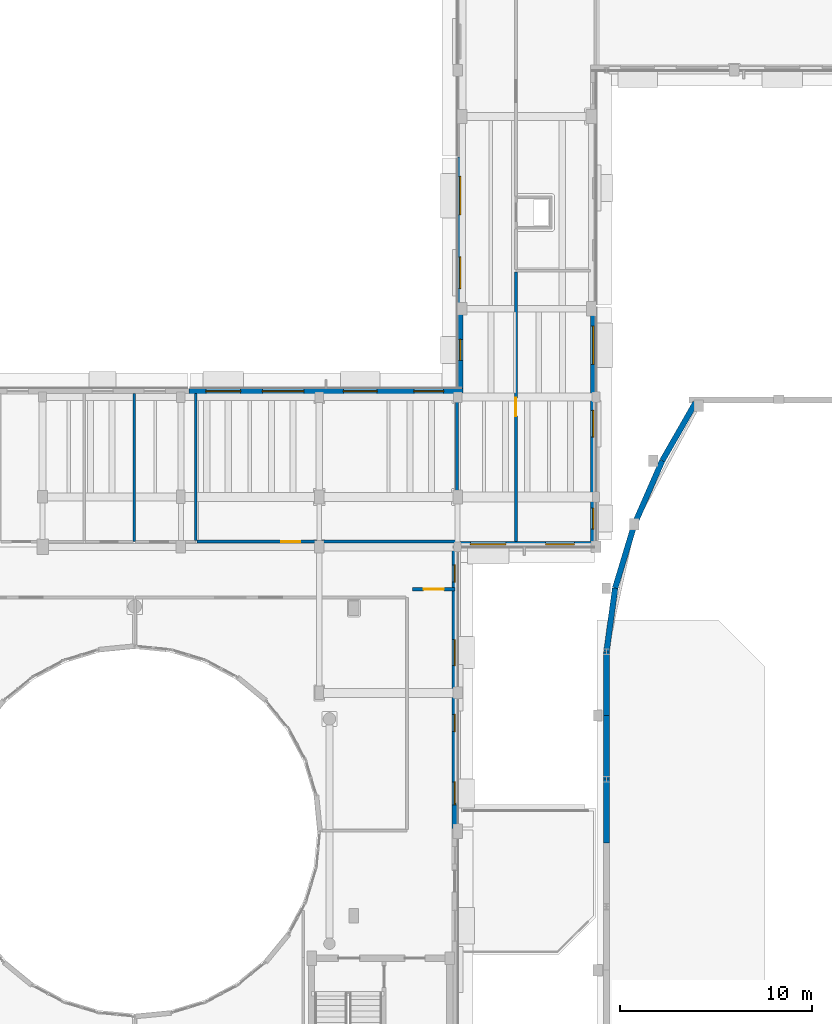
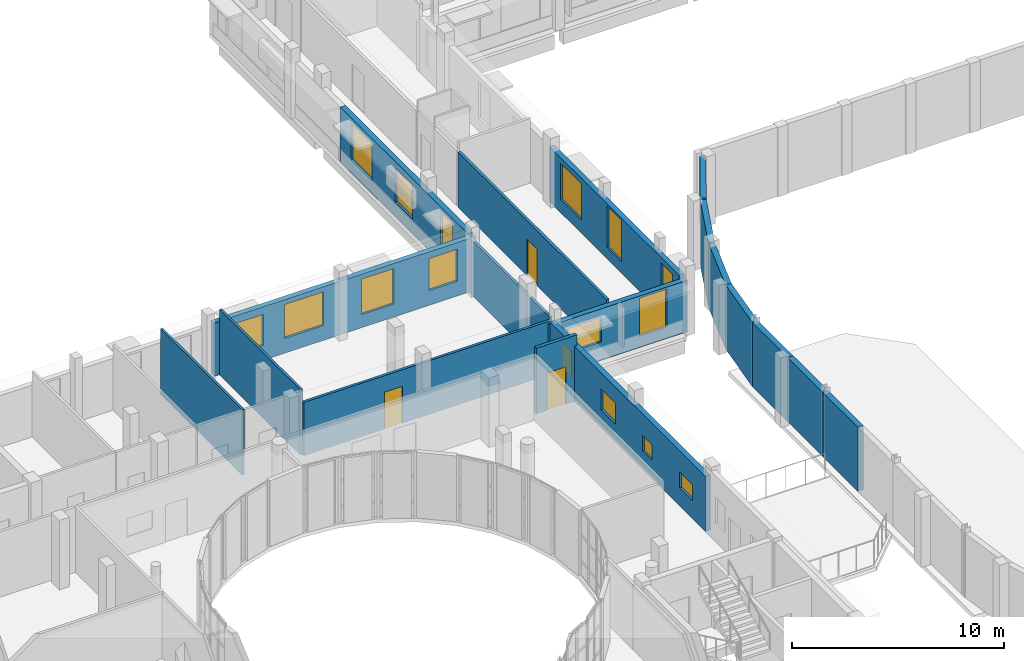
# One storey, part 72 of 89: 18 walls, 16 windows, 3 doors, 19 openings.
"""IFC4 building model written with IfcOpenShell, lengths in metres."""

from ifc_helpers import new_model, si_unit, direction, frame, frame_2d, origin, place, context, subcontext, project, spatial, rectangle, extrude, material, layer, layer_set, type_object, element, fill, save


model = new_model("IFC4")

# Units and contexts
model_context = context("Model", 3, precision=1e-05, world=origin(), true_north=direction((0.0, 1.0)))
body_context = subcontext(model_context, "Body", "Model", "MODEL_VIEW")
ifc_project = project(units=[si_unit("LENGTHUNIT", "METRE"), si_unit("AREAUNIT", "SQUARE_METRE"), si_unit("VOLUMEUNIT", "CUBIC_METRE"), si_unit("PLANEANGLEUNIT", "RADIAN"), si_unit("MASSUNIT", "GRAM", prefix="KILO")], contexts=[model_context])

# Site, building, storey
site_placement = place(None, origin())
site = spatial("IfcSite", under=ifc_project, at=site_placement, CompositionType="ELEMENT")
building_placement = place(site_placement, origin())
building = spatial("IfcBuilding", under=site, at=building_placement, Name="Kelanivale Promenade Academy", CompositionType="ELEMENT")
storey_placement = place(building_placement, frame((0.0, 0.0, 12.199951171875)))
storey = spatial("IfcBuildingStorey", under=building, at=storey_placement, Name="L03", CompositionType="ELEMENT", Elevation=12.199951171875)

# Walls
ifc_material_1 = material(Name="Insulated terracotta-clad masonry wall 300 mm", Category="masonry")
ifc_layer_1 = layer(ifc_material_1, 0.300048828125)
ifc_layer_set_1 = layer_set([ifc_layer_1], Name="Insulated terracotta-clad masonry wall 300 mm")
wall_type_1 = type_object("IfcWallType", Name="EW-01 Wall 300mm", PredefinedType="SOLIDWALL", material=ifc_layer_set_1)
wall_1_placement = place(storey_placement, frame((123.35009765625, 59.513916015625, 0.0), z_axis=(0.0, 0.0, 1.0), x_axis=(0.0, -1.0, 0.0)))
element("IfcWall", 1, at=wall_1_placement, inside=storey, type_object=wall_type_1, Name="Assembly Hall Arc Pavilion inner crescent wall L03", PredefinedType="SOLIDWALL", context=body_context, shape_type="SweptSolid", body=[
    extrude(rectangle(XDim=3.31396484375, YDim=0.300048828125, at=frame_2d((1.656982421875, 0.0))), origin(), (0.0, 0.0, 1.0), 3.695068359375),
])
wall_2_placement = place(storey_placement, frame((123.35009765625, 62.8291015625, 0.0), z_axis=(0.0, 0.0, 1.0), x_axis=(0.0, -1.0, 0.0)))
element("IfcWall", 2, at=wall_2_placement, inside=storey, type_object=wall_type_1, Name="Assembly Hall Arc Pavilion inner crescent wall L03", PredefinedType="SOLIDWALL", context=body_context, shape_type="SweptSolid", body=[
    extrude(rectangle(XDim=3.315185546875, YDim=0.300048828125, at=frame_2d((1.65771484375, 0.0))), origin(), (0.0, 0.0, 1.0), 3.695068359375),
])
wall_3_placement = place(storey_placement, frame((123.35009765625, 66.14306640625, 0.0), z_axis=(0.0, 0.0, 1.0), x_axis=(0.0, -1.0, 0.0)))
element("IfcWall", 3, at=wall_3_placement, inside=storey, type_object=wall_type_1, Name="Assembly Hall Arc Pavilion inner crescent wall L03", PredefinedType="SOLIDWALL", context=body_context, shape_type="SweptSolid", body=[
    extrude(rectangle(XDim=3.31396484375, YDim=0.300048828125, at=frame_2d((1.656982421875, 0.0))), origin(), (0.0, 0.0, 1.0), 3.695068359375),
])
wall_4_placement = place(storey_placement, frame((123.800048828125, 69.45703125, 0.0), z_axis=(0.0, 0.0, 1.0), x_axis=(-0.134539839792, -0.990908185206, 0.0)))
element("IfcWall", 4, at=wall_4_placement, inside=storey, type_object=wall_type_1, Name="Assembly Hall Arc Pavilion inner crescent wall L03", PredefinedType="SOLIDWALL", context=body_context, shape_type="SweptSolid", body=[
    extrude(rectangle(XDim=3.344482421875, YDim=0.300048828125, at=frame_2d((1.67236328125, 0.0))), origin(), (0.0, 0.0, 1.0), 3.695068359375),
])
wall_5_placement = place(storey_placement, frame((124.800048828125, 72.77099609375, 0.0), z_axis=(0.0, 0.0, 1.0), x_axis=(-0.288887509039, -0.957363048755, 0.0)))
element("IfcWall", 5, at=wall_5_placement, inside=storey, type_object=wall_type_1, Name="Assembly Hall Arc Pavilion inner crescent wall L03", PredefinedType="SOLIDWALL", context=body_context, shape_type="SweptSolid", body=[
    extrude(rectangle(XDim=3.461669921875, YDim=0.300048828125, at=frame_2d((1.73095703125, 0.0))), origin(), (0.0, 0.0, 1.0), 3.695068359375),
])
wall_6_placement = place(storey_placement, frame((126.25, 76.0859375, 0.0), z_axis=(0.0, 0.0, 1.0), x_axis=(-0.400740958437, -0.916191401526, 0.0)))
element("IfcWall", 6, at=wall_6_placement, inside=storey, type_object=wall_type_1, Name="Assembly Hall Arc Pavilion inner crescent wall L03", PredefinedType="SOLIDWALL", context=body_context, shape_type="SweptSolid", body=[
    extrude(rectangle(XDim=3.6181640625, YDim=0.300048828125, at=frame_2d((1.80908203125, 0.0))), origin(), (0.0, 0.0, 1.0), 3.695068359375),
])
wall_7_placement = place(storey_placement, frame((127.98095703125, 79.10498046875, 0.0), z_axis=(0.0, 0.0, 1.0), x_axis=(-0.497392560198, -0.867525585248, 0.0)))
element("IfcWall", 7, at=wall_7_placement, inside=storey, type_object=wall_type_1, Name="Assembly Hall Arc Pavilion inner crescent wall L03", PredefinedType="SOLIDWALL", context=body_context, shape_type="SweptSolid", body=[
    extrude(rectangle(XDim=3.47998046875, YDim=0.300048828125, at=frame_2d((1.739990234375, 0.0))), origin(), (0.0, 0.0, 1.0), 3.780029296875),
])

# Wall, openings, windows
ifc_material_2 = material(Name="Insulated ivory stucco masonry wall 280 mm", Category="masonry")
ifc_layer_2 = layer(ifc_material_2, 0.280029296875)
ifc_layer_set_2 = layer_set([ifc_layer_2], Name="Insulated ivory stucco masonry wall 280 mm")
wall_type_2 = type_object("IfcWallType", Name="EW-02 Wall 280mm", PredefinedType="SOLIDWALL", material=ifc_layer_set_2)
wall_8_placement = place(storey_placement, frame((115.4599609375, 56.93994140625, 0.0), z_axis=(0.0, 0.0, 1.0), x_axis=(0.0, 1.0, 0.0)))
wall_8 = element("IfcWall", 8, at=wall_8_placement, inside=storey, type_object=wall_type_2, Name="L03 exterior facade wall EW-L03-ORT-0471", PredefinedType="SOLIDWALL", context=body_context, shape_type="SweptSolid", body=[
    extrude(rectangle(XDim=14.66015625, YDim=0.280029296875, at=frame_2d((7.330078125, 0.0))), origin(), (0.0, 0.0, 1.0), 3.175048828125),
])
opening_1_placement = place(wall_8_placement, frame((1.23193359375, 0.0, 1.050048828125)))
opening_1 = element("IfcOpeningElement", 9, at=opening_1_placement, cuts=wall_8, Name="Opening WT-09", PredefinedType="OPENING", context=body_context, shape_type="SweptSolid", body=[
    extrude(rectangle(XDim=1.199951171875, YDim=0.89990234375, at=frame_2d((0.60009765625, 0.449951171875))), frame((0.0, 0.14990234375, 0.0), z_axis=(0.0, -1.0, 0.0), x_axis=(1.0, 0.0, 0.0)), (0.0, 0.0, 1.0), 0.300048828125),
])
opening_2_placement = place(wall_8_placement, frame((5.047119140625, 0.0, 1.050048828125)))
opening_2 = element("IfcOpeningElement", 10, at=opening_2_placement, cuts=wall_8, Name="Opening WT-10", PredefinedType="OPENING", context=body_context, shape_type="SweptSolid", body=[
    extrude(rectangle(XDim=0.89990234375, YDim=0.89990234375, at=frame_2d((0.449951171875, 0.449951171875))), frame((0.0, 0.14990234375, 0.0), z_axis=(0.0, -1.0, 0.0), x_axis=(1.0, 0.0, 0.0)), (0.0, 0.0, 1.0), 0.300048828125),
])
opening_3_placement = place(wall_8_placement, frame((8.487060546875, 0.0, 1.050048828125)))
opening_3 = element("IfcOpeningElement", 11, at=opening_3_placement, cuts=wall_8, Name="Opening WT-34", PredefinedType="OPENING", context=body_context, shape_type="SweptSolid", body=[
    extrude(rectangle(XDim=1.35009765625, YDim=1.199951171875, at=frame_2d((0.675048828125, 0.60009765625))), frame((0.0, 0.14990234375, 0.0), z_axis=(0.0, -1.0, 0.0), x_axis=(1.0, 0.0, 0.0)), (0.0, 0.0, 1.0), 0.300048828125),
])
opening_4_placement = place(wall_8_placement, frame((12.826904296875, 0.0, 1.050048828125)))
opening_4 = element("IfcOpeningElement", 12, at=opening_4_placement, cuts=wall_8, Name="Opening WT-06", PredefinedType="OPENING", context=body_context, shape_type="SweptSolid", body=[
    extrude(rectangle(XDim=0.89990234375, YDim=1.5, at=frame_2d((0.449951171875, 0.75))), frame((0.0, 0.14990234375, 0.0), z_axis=(0.0, -1.0, 0.0), x_axis=(1.0, 0.0, 0.0)), (0.0, 0.0, 1.0), 0.300048828125),
])
ifc_material_3 = material(Name="Bronze anodised aluminium frame with low-E laminated glass", Category="aluminium")
window_type_1 = type_object("IfcWindowType", Name="WT-06 Window 900x1500", PartitioningType="SINGLE_PANEL", PredefinedType="WINDOW", material=ifc_material_3)
window_1_placement = place(opening_4_placement, origin())
window_1 = element("IfcWindow", 13, at=window_1_placement, inside=storey, type_object=window_type_1, Name="Window WT-06", OverallHeight=1.5, OverallWidth=0.89990234375, PartitioningType="SINGLE_PANEL", PredefinedType="WINDOW", context=body_context, shape_type="SweptSolid", body=[
    extrude(rectangle(XDim=0.89990234375, YDim=1.5, at=frame_2d((0.449951171875, 0.75))), frame((0.0, 0.030029296875, 0.0), z_axis=(0.0, -1.0, 0.0), x_axis=(1.0, 0.0, 0.0)), (0.0, 0.0, 1.0), 0.06005859375),
])
fill(opening_4, window_1)
window_type_2 = type_object("IfcWindowType", Name="WT-09 Window 1200x900", PartitioningType="SINGLE_PANEL", PredefinedType="WINDOW", material=ifc_material_3)
window_2_placement = place(opening_1_placement, origin())
window_2 = element("IfcWindow", 14, at=window_2_placement, inside=storey, type_object=window_type_2, Name="Window WT-09", OverallHeight=0.89990234375, OverallWidth=1.199951171875, PartitioningType="SINGLE_PANEL", PredefinedType="WINDOW", context=body_context, shape_type="SweptSolid", body=[
    extrude(rectangle(XDim=1.199951171875, YDim=0.89990234375, at=frame_2d((0.60009765625, 0.449951171875))), frame((0.0, 0.030029296875, 0.0), z_axis=(0.0, -1.0, 0.0), x_axis=(1.0, 0.0, 0.0)), (0.0, 0.0, 1.0), 0.06005859375),
])
fill(opening_1, window_2)
window_type_3 = type_object("IfcWindowType", Name="WT-10 Window 900x900", PartitioningType="SINGLE_PANEL", PredefinedType="WINDOW", material=ifc_material_3)
window_3_placement = place(opening_2_placement, origin())
window_3 = element("IfcWindow", 15, at=window_3_placement, inside=storey, type_object=window_type_3, Name="Window WT-10", OverallHeight=0.89990234375, OverallWidth=0.89990234375, PartitioningType="SINGLE_PANEL", PredefinedType="WINDOW", context=body_context, shape_type="SweptSolid", body=[
    extrude(rectangle(XDim=0.89990234375, YDim=0.89990234375, at=frame_2d((0.449951171875, 0.449951171875))), frame((0.0, 0.030029296875, 0.0), z_axis=(0.0, -1.0, 0.0), x_axis=(1.0, 0.0, 0.0)), (0.0, 0.0, 1.0), 0.06005859375),
])
fill(opening_2, window_3)
window_type_4 = type_object("IfcWindowType", Name="WT-34 Window 1350x1200", PartitioningType="SINGLE_PANEL", PredefinedType="WINDOW", material=ifc_material_3)
window_4_placement = place(opening_3_placement, origin())
window_4 = element("IfcWindow", 16, at=window_4_placement, inside=storey, type_object=window_type_4, Name="Window WT-34", OverallHeight=1.199951171875, OverallWidth=1.35009765625, PartitioningType="SINGLE_PANEL", PredefinedType="WINDOW", context=body_context, shape_type="SweptSolid", body=[
    extrude(rectangle(XDim=1.35009765625, YDim=1.199951171875, at=frame_2d((0.675048828125, 0.60009765625))), frame((0.0, 0.030029296875, 0.0), z_axis=(0.0, -1.0, 0.0), x_axis=(1.0, 0.0, 0.0)), (0.0, 0.0, 1.0), 0.06005859375),
])
fill(opening_3, window_4)

wall_9_placement = place(storey_placement, frame((115.320068359375, 71.739990234375, 0.0), z_axis=(0.0, 0.0, 1.0), x_axis=(1.0, 0.0, 0.0)))
wall_9 = element("IfcWall", 17, at=wall_9_placement, inside=storey, type_object=wall_type_2, Name="L03 exterior facade wall EW-L03-ORT-0472", PredefinedType="SOLIDWALL", context=body_context, shape_type="SweptSolid", body=[
    extrude(rectangle(XDim=7.47998046875, YDim=0.280029296875, at=frame_2d((3.739990234375, 0.0))), origin(), (0.0, 0.0, 1.0), 2.965087890625),
])
opening_5_placement = place(wall_9_placement, frame((0.945068359375, 0.0, 1.050048828125)))
opening_5 = element("IfcOpeningElement", 18, at=opening_5_placement, cuts=wall_9, Name="Opening WT-36", PredefinedType="OPENING", context=body_context, shape_type="SweptSolid", body=[
    extrude(rectangle(XDim=1.85009765625, YDim=1.39990234375, at=frame_2d((0.925048828125, 0.699951171875))), frame((0.0, 0.14990234375, 0.0), z_axis=(0.0, -1.0, 0.0), x_axis=(1.0, 0.0, 0.0)), (0.0, 0.0, 1.0), 0.300048828125),
])
opening_6_placement = place(wall_9_placement, frame((4.860107421875, 0.0, 0.64990234375)))
opening_6 = element("IfcOpeningElement", 19, at=opening_6_placement, cuts=wall_9, Name="Opening WT-11", PredefinedType="OPENING", context=body_context, shape_type="SweptSolid", body=[
    extrude(rectangle(XDim=1.5, YDim=2.199951171875, at=frame_2d((0.75, 1.10009765625))), frame((0.0, 0.14990234375, 0.0), z_axis=(0.0, -1.0, 0.0), x_axis=(1.0, 0.0, 0.0)), (0.0, 0.0, 1.0), 0.300048828125),
])
window_type_5 = type_object("IfcWindowType", Name="WT-11 Window 1500x2200", PartitioningType="SINGLE_PANEL", PredefinedType="WINDOW", material=ifc_material_3)
window_5_placement = place(opening_6_placement, origin())
window_5 = element("IfcWindow", 20, at=window_5_placement, inside=storey, type_object=window_type_5, Name="Window WT-11", OverallHeight=2.199951171875, OverallWidth=1.5, PartitioningType="SINGLE_PANEL", PredefinedType="WINDOW", context=body_context, shape_type="SweptSolid", body=[
    extrude(rectangle(XDim=1.5, YDim=2.199951171875, at=frame_2d((0.75, 1.10009765625))), frame((0.0, 0.030029296875, 0.0), z_axis=(0.0, -1.0, 0.0), x_axis=(1.0, 0.0, 0.0)), (0.0, 0.0, 1.0), 0.06005859375),
])
fill(opening_6, window_5)
window_type_6 = type_object("IfcWindowType", Name="WT-36 Window 1850x1400", PartitioningType="SINGLE_PANEL", PredefinedType="WINDOW", material=ifc_material_3)
window_6_placement = place(opening_5_placement, origin())
window_6 = element("IfcWindow", 21, at=window_6_placement, inside=storey, type_object=window_type_6, Name="Window WT-36", OverallHeight=1.39990234375, OverallWidth=1.85009765625, PartitioningType="SINGLE_PANEL", PredefinedType="WINDOW", context=body_context, shape_type="SweptSolid", body=[
    extrude(rectangle(XDim=1.85009765625, YDim=1.39990234375, at=frame_2d((0.925048828125, 0.699951171875))), frame((0.0, 0.030029296875, 0.0), z_axis=(0.0, -1.0, 0.0), x_axis=(1.0, 0.0, 0.0)), (0.0, 0.0, 1.0), 0.06005859375),
])
fill(opening_5, window_6)

wall_10_placement = place(storey_placement, frame((122.659912109375, 71.8798828125, 0.0), z_axis=(0.0, 0.0, 1.0), x_axis=(0.0, 1.0, 0.0)))
wall_10 = element("IfcWall", 22, at=wall_10_placement, inside=storey, type_object=wall_type_2, Name="L03 exterior facade wall EW-L03-ORT-0473", PredefinedType="SOLIDWALL", context=body_context, shape_type="SweptSolid", body=[
    extrude(rectangle(XDim=12.260009765625, YDim=0.280029296875, at=frame_2d((6.1298828125, 0.0))), origin(), (0.0, 0.0, 1.0), 3.1650390625),
])
opening_7_placement = place(wall_10_placement, frame((0.64306640625, 0.0, 0.75)))
opening_7 = element("IfcOpeningElement", 23, at=opening_7_placement, cuts=wall_10, Name="Opening WT-17", PredefinedType="OPENING", context=body_context, shape_type="SweptSolid", body=[
    extrude(rectangle(XDim=1.10009765625, YDim=2.10009765625, at=frame_2d((0.550048828125, 1.050048828125))), frame((0.0, 0.14990234375, 0.0), z_axis=(0.0, -1.0, 0.0), x_axis=(1.0, 0.0, 0.0)), (0.0, 0.0, 1.0), 0.300048828125),
])
opening_8_placement = place(wall_10_placement, frame((5.429931640625, 0.0, 0.64990234375)))
opening_8 = element("IfcOpeningElement", 24, at=opening_8_placement, cuts=wall_10, Name="Opening WT-13", PredefinedType="OPENING", context=body_context, shape_type="SweptSolid", body=[
    extrude(rectangle(XDim=1.39990234375, YDim=2.39990234375, at=frame_2d((0.699951171875, 1.199951171875))), frame((0.0, 0.14990234375, 0.0), z_axis=(0.0, -1.0, 0.0), x_axis=(1.0, 0.0, 0.0)), (0.0, 0.0, 1.0), 0.300048828125),
])
opening_9_placement = place(wall_10_placement, frame((9.217041015625, 0.0, 0.75)))
opening_9 = element("IfcOpeningElement", 25, at=opening_9_placement, cuts=wall_10, Name="Opening WT-14", PredefinedType="OPENING", context=body_context, shape_type="SweptSolid", body=[
    extrude(rectangle(XDim=2.0, YDim=2.10009765625, at=frame_2d((1.0, 1.050048828125))), frame((0.0, 0.14990234375, 0.0), z_axis=(0.0, -1.0, 0.0), x_axis=(1.0, 0.0, 0.0)), (0.0, 0.0, 1.0), 0.300048828125),
])
window_type_7 = type_object("IfcWindowType", Name="WT-13 Window 1400x2400", PartitioningType="SINGLE_PANEL", PredefinedType="WINDOW", material=ifc_material_3)
window_7_placement = place(opening_8_placement, origin())
window_7 = element("IfcWindow", 26, at=window_7_placement, inside=storey, type_object=window_type_7, Name="Window WT-13", OverallHeight=2.39990234375, OverallWidth=1.39990234375, PartitioningType="SINGLE_PANEL", PredefinedType="WINDOW", context=body_context, shape_type="SweptSolid", body=[
    extrude(rectangle(XDim=1.39990234375, YDim=2.39990234375, at=frame_2d((0.699951171875, 1.199951171875))), frame((0.0, 0.030029296875, 0.0), z_axis=(0.0, -1.0, 0.0), x_axis=(1.0, 0.0, 0.0)), (0.0, 0.0, 1.0), 0.06005859375),
])
fill(opening_8, window_7)
window_type_8 = type_object("IfcWindowType", Name="WT-14 Window 2000x2100", PartitioningType="SINGLE_PANEL", PredefinedType="WINDOW", material=ifc_material_3)
window_8_placement = place(opening_9_placement, origin())
window_8 = element("IfcWindow", 27, at=window_8_placement, inside=storey, type_object=window_type_8, Name="Window WT-14", OverallHeight=2.10009765625, OverallWidth=2.0, PartitioningType="SINGLE_PANEL", PredefinedType="WINDOW", context=body_context, shape_type="SweptSolid", body=[
    extrude(rectangle(XDim=2.0, YDim=2.10009765625, at=frame_2d((1.0, 1.050048828125))), frame((0.0, 0.030029296875, 0.0), z_axis=(0.0, -1.0, 0.0), x_axis=(1.0, 0.0, 0.0)), (0.0, 0.0, 1.0), 0.06005859375),
])
fill(opening_9, window_8)
window_type_9 = type_object("IfcWindowType", Name="WT-17 Window 1100x2100", PartitioningType="SINGLE_PANEL", PredefinedType="WINDOW", material=ifc_material_3)
window_9_placement = place(opening_7_placement, origin())
window_9 = element("IfcWindow", 28, at=window_9_placement, inside=storey, type_object=window_type_9, Name="Window WT-17", OverallHeight=2.10009765625, OverallWidth=1.10009765625, PartitioningType="SINGLE_PANEL", PredefinedType="WINDOW", context=body_context, shape_type="SweptSolid", body=[
    extrude(rectangle(XDim=1.10009765625, YDim=2.10009765625, at=frame_2d((0.550048828125, 1.050048828125))), frame((0.0, 0.030029296875, 0.0), z_axis=(0.0, -1.0, 0.0), x_axis=(1.0, 0.0, 0.0)), (0.0, 0.0, 1.0), 0.06005859375),
])
fill(opening_7, window_9)

wall_11_placement = place(storey_placement, frame((115.739990234375, 91.885009765625, 0.0), z_axis=(0.0, 0.0, 1.0), x_axis=(0.0, -1.0, 0.0)))
wall_11 = element("IfcWall", 29, at=wall_11_placement, inside=storey, type_object=wall_type_2, Name="L03 exterior facade wall EW-L03-ORT-0485", PredefinedType="SOLIDWALL", context=body_context, shape_type="SweptSolid", body=[
    extrude(rectangle(XDim=12.034912109375, YDim=0.280029296875, at=frame_2d((6.017578125, 0.0))), origin(), (0.0, 0.0, 1.0), 3.1650390625),
])
opening_10_placement = place(wall_11_placement, frame((1.006103515625, 0.0, 0.75)))
opening_10 = element("IfcOpeningElement", 30, at=opening_10_placement, cuts=wall_11, Name="Opening WT-14", PredefinedType="OPENING", context=body_context, shape_type="SweptSolid", body=[
    extrude(rectangle(XDim=2.0, YDim=2.10009765625, at=frame_2d((1.0, 1.050048828125))), frame((0.0, 0.14990234375, 0.0), z_axis=(0.0, -1.0, 0.0), x_axis=(1.0, 0.0, 0.0)), (0.0, 0.0, 1.0), 0.300048828125),
])
opening_11_placement = place(wall_11_placement, frame((5.193115234375, 0.0, 0.85009765625)))
opening_11 = element("IfcOpeningElement", 31, at=opening_11_placement, cuts=wall_11, Name="Opening WT-16", PredefinedType="OPENING", context=body_context, shape_type="SweptSolid", body=[
    extrude(rectangle(XDim=1.64990234375, YDim=1.949951171875, at=frame_2d((0.824951171875, 0.97509765625))), frame((0.0, 0.14990234375, 0.0), z_axis=(0.0, -1.0, 0.0), x_axis=(1.0, 0.0, 0.0)), (0.0, 0.0, 1.0), 0.300048828125),
])
opening_12_placement = place(wall_11_placement, frame((9.47900390625, 0.0, 0.75)))
opening_12 = element("IfcOpeningElement", 32, at=opening_12_placement, cuts=wall_11, Name="Opening WT-17", PredefinedType="OPENING", context=body_context, shape_type="SweptSolid", body=[
    extrude(rectangle(XDim=1.10009765625, YDim=2.10009765625, at=frame_2d((0.550048828125, 1.050048828125))), frame((0.0, 0.14990234375, 0.0), z_axis=(0.0, -1.0, 0.0), x_axis=(1.0, 0.0, 0.0)), (0.0, 0.0, 1.0), 0.300048828125),
])
window_10_placement = place(opening_10_placement, origin())
window_10 = element("IfcWindow", 33, at=window_10_placement, inside=storey, type_object=window_type_8, Name="Window WT-14", OverallHeight=2.10009765625, OverallWidth=2.0, PartitioningType="SINGLE_PANEL", PredefinedType="WINDOW", context=body_context, shape_type="SweptSolid", body=[
    extrude(rectangle(XDim=2.0, YDim=2.10009765625, at=frame_2d((1.0, 1.050048828125))), frame((0.0, 0.030029296875, 0.0), z_axis=(0.0, -1.0, 0.0), x_axis=(1.0, 0.0, 0.0)), (0.0, 0.0, 1.0), 0.06005859375),
])
fill(opening_10, window_10)
window_type_10 = type_object("IfcWindowType", Name="WT-16 Window 1650x1950", PartitioningType="SINGLE_PANEL", PredefinedType="WINDOW", material=ifc_material_3)
window_11_placement = place(opening_11_placement, origin())
window_11 = element("IfcWindow", 34, at=window_11_placement, inside=storey, type_object=window_type_10, Name="Window WT-16", OverallHeight=1.949951171875, OverallWidth=1.64990234375, PartitioningType="SINGLE_PANEL", PredefinedType="WINDOW", context=body_context, shape_type="SweptSolid", body=[
    extrude(rectangle(XDim=1.64990234375, YDim=1.949951171875, at=frame_2d((0.824951171875, 0.97509765625))), frame((0.0, 0.030029296875, 0.0), z_axis=(0.0, -1.0, 0.0), x_axis=(1.0, 0.0, 0.0)), (0.0, 0.0, 1.0), 0.06005859375),
])
fill(opening_11, window_11)
window_12_placement = place(opening_12_placement, origin())
window_12 = element("IfcWindow", 35, at=window_12_placement, inside=storey, type_object=window_type_9, Name="Window WT-17", OverallHeight=2.10009765625, OverallWidth=1.10009765625, PartitioningType="SINGLE_PANEL", PredefinedType="WINDOW", context=body_context, shape_type="SweptSolid", body=[
    extrude(rectangle(XDim=1.10009765625, YDim=2.10009765625, at=frame_2d((0.550048828125, 1.050048828125))), frame((0.0, 0.030029296875, 0.0), z_axis=(0.0, -1.0, 0.0), x_axis=(1.0, 0.0, 0.0)), (0.0, 0.0, 1.0), 0.06005859375),
])
fill(opening_12, window_12)

wall_12_placement = place(storey_placement, frame((115.8798828125, 79.7099609375, 0.0), z_axis=(0.0, 0.0, 1.0), x_axis=(-1.0, 0.0, 0.0)))
wall_12 = element("IfcWall", 36, at=wall_12_placement, inside=storey, type_object=wall_type_2, Name="L03 exterior facade wall EW-L03-ORT-0486", PredefinedType="SOLIDWALL", context=body_context, shape_type="SweptSolid", body=[
    extrude(rectangle(XDim=14.2568359375, YDim=0.280029296875, at=frame_2d((7.12841796875, 0.0))), origin(), (0.0, 0.0, 1.0), 3.074951171875),
])
opening_13_placement = place(wall_12_placement, frame((1.007080078125, 0.0, 0.85009765625)))
opening_13 = element("IfcOpeningElement", 37, at=opening_13_placement, cuts=wall_12, Name="Opening WT-31", PredefinedType="OPENING", context=body_context, shape_type="SweptSolid", body=[
    extrude(rectangle(XDim=1.550048828125, YDim=1.85009765625, at=frame_2d((0.77490234375, 0.925048828125))), frame((0.0, 0.14990234375, 0.0), z_axis=(0.0, -1.0, 0.0), x_axis=(1.0, 0.0, 0.0)), (0.0, 0.0, 1.0), 0.300048828125),
])
opening_14_placement = place(wall_12_placement, frame((4.470947265625, 0.0, 0.75)))
opening_14 = element("IfcOpeningElement", 38, at=opening_14_placement, cuts=wall_12, Name="Opening WT-32", PredefinedType="OPENING", context=body_context, shape_type="SweptSolid", body=[
    extrude(rectangle(XDim=1.75, YDim=2.050048828125, at=frame_2d((0.875, 1.02490234375))), frame((0.0, 0.14990234375, 0.0), z_axis=(0.0, -1.0, 0.0), x_axis=(1.0, 0.0, 0.0)), (0.0, 0.0, 1.0), 0.300048828125),
])
opening_15_placement = place(wall_12_placement, frame((8.285888671875, 0.0, 0.85009765625)))
opening_15 = element("IfcOpeningElement", 39, at=opening_15_placement, cuts=wall_12, Name="Opening WT-33", PredefinedType="OPENING", context=body_context, shape_type="SweptSolid", body=[
    extrude(rectangle(XDim=2.14990234375, YDim=1.949951171875, at=frame_2d((1.074951171875, 0.97509765625))), frame((0.0, 0.14990234375, 0.0), z_axis=(0.0, -1.0, 0.0), x_axis=(1.0, 0.0, 0.0)), (0.0, 0.0, 1.0), 0.300048828125),
])
opening_16_placement = place(wall_12_placement, frame((11.574951171875, 0.0, 0.85009765625)))
opening_16 = element("IfcOpeningElement", 40, at=opening_16_placement, cuts=wall_12, Name="Opening WT-01", PredefinedType="OPENING", context=body_context, shape_type="SweptSolid", body=[
    extrude(rectangle(XDim=1.800048828125, YDim=1.800048828125, at=frame_2d((0.89990234375, 0.89990234375))), frame((0.0, 0.14990234375, 0.0), z_axis=(0.0, -1.0, 0.0), x_axis=(1.0, 0.0, 0.0)), (0.0, 0.0, 1.0), 0.300048828125),
])
window_type_11 = type_object("IfcWindowType", Name="WT-01 Window 1800x1800", PartitioningType="SINGLE_PANEL", PredefinedType="WINDOW", material=ifc_material_3)
window_13_placement = place(opening_16_placement, origin())
window_13 = element("IfcWindow", 41, at=window_13_placement, inside=storey, type_object=window_type_11, Name="Window WT-01", OverallHeight=1.800048828125, OverallWidth=1.800048828125, PartitioningType="SINGLE_PANEL", PredefinedType="WINDOW", context=body_context, shape_type="SweptSolid", body=[
    extrude(rectangle(XDim=1.800048828125, YDim=1.800048828125, at=frame_2d((0.89990234375, 0.89990234375))), frame((0.0, 0.030029296875, 0.0), z_axis=(0.0, -1.0, 0.0), x_axis=(1.0, 0.0, 0.0)), (0.0, 0.0, 1.0), 0.06005859375),
])
fill(opening_16, window_13)
window_type_12 = type_object("IfcWindowType", Name="WT-31 Window 1550x1850", PartitioningType="SINGLE_PANEL", PredefinedType="WINDOW", material=ifc_material_3)
window_14_placement = place(opening_13_placement, origin())
window_14 = element("IfcWindow", 42, at=window_14_placement, inside=storey, type_object=window_type_12, Name="Window WT-31", OverallHeight=1.85009765625, OverallWidth=1.550048828125, PartitioningType="SINGLE_PANEL", PredefinedType="WINDOW", context=body_context, shape_type="SweptSolid", body=[
    extrude(rectangle(XDim=1.550048828125, YDim=1.85009765625, at=frame_2d((0.77490234375, 0.925048828125))), frame((0.0, 0.030029296875, 0.0), z_axis=(0.0, -1.0, 0.0), x_axis=(1.0, 0.0, 0.0)), (0.0, 0.0, 1.0), 0.06005859375),
])
fill(opening_13, window_14)
window_type_13 = type_object("IfcWindowType", Name="WT-32 Window 1750x2050", PartitioningType="SINGLE_PANEL", PredefinedType="WINDOW", material=ifc_material_3)
window_15_placement = place(opening_14_placement, origin())
window_15 = element("IfcWindow", 43, at=window_15_placement, inside=storey, type_object=window_type_13, Name="Window WT-32", OverallHeight=2.050048828125, OverallWidth=1.75, PartitioningType="SINGLE_PANEL", PredefinedType="WINDOW", context=body_context, shape_type="SweptSolid", body=[
    extrude(rectangle(XDim=1.75, YDim=2.050048828125, at=frame_2d((0.875, 1.02490234375))), frame((0.0, 0.030029296875, 0.0), z_axis=(0.0, -1.0, 0.0), x_axis=(1.0, 0.0, 0.0)), (0.0, 0.0, 1.0), 0.06005859375),
])
fill(opening_14, window_15)
window_type_14 = type_object("IfcWindowType", Name="WT-33 Window 2150x1950", PartitioningType="SINGLE_PANEL", PredefinedType="WINDOW", material=ifc_material_3)
window_16_placement = place(opening_15_placement, origin())
window_16 = element("IfcWindow", 44, at=window_16_placement, inside=storey, type_object=window_type_14, Name="Window WT-33", OverallHeight=1.949951171875, OverallWidth=2.14990234375, PartitioningType="SINGLE_PANEL", PredefinedType="WINDOW", context=body_context, shape_type="SweptSolid", body=[
    extrude(rectangle(XDim=2.14990234375, YDim=1.949951171875, at=frame_2d((1.074951171875, 0.97509765625))), frame((0.0, 0.030029296875, 0.0), z_axis=(0.0, -1.0, 0.0), x_axis=(1.0, 0.0, 0.0)), (0.0, 0.0, 1.0), 0.06005859375),
])
fill(opening_15, window_16)

# Wall, opening, door
ifc_material_4 = material(Name="Autoclaved masonry blockwork 180 mm", Category="masonry")
ifc_layer_3 = layer(ifc_material_4, 0.179931640625)
ifc_layer_set_3 = layer_set([ifc_layer_3], Name="Autoclaved masonry blockwork 180 mm")
wall_type_3 = type_object("IfcWallType", Name="IW-02 Wall 180mm", PredefinedType="PARTITIONING", material=ifc_layer_set_3)
wall_13_placement = place(storey_placement, frame((113.25, 69.39990234375, 0.0), z_axis=(0.0, 0.0, 1.0), x_axis=(1.0, 0.0, 0.0)))
wall_13 = element("IfcWall", 45, at=wall_13_placement, inside=storey, type_object=wall_type_3, Name="L03 cross-corridor fire wall", PredefinedType="PARTITIONING", context=body_context, shape_type="SweptSolid", body=[
    extrude(rectangle(XDim=2.208984375, YDim=0.179931640625, at=frame_2d((1.1044921875, 0.0))), origin(), (0.0, 0.0, 1.0), 3.780029296875),
])
opening_17_placement = place(wall_13_placement, frame((0.580078125, 0.0, 0.0)))
opening_17 = element("IfcOpeningElement", 46, at=opening_17_placement, cuts=wall_13, Name="Opening FD-L03-CC-147", PredefinedType="OPENING", context=body_context, shape_type="SweptSolid", body=[
    extrude(rectangle(XDim=1.050048828125, YDim=2.14990234375, at=frame_2d((0.52490234375, 1.074951171875))), frame((0.0, 0.10009765625, 0.0), z_axis=(0.0, -1.0, 0.0), x_axis=(1.0, 0.0, 0.0)), (0.0, 0.0, 1.0), 0.199951171875),
])
ifc_material_5 = material(Name="Fire-rated steel-core teak veneer", Category="steel")
door_type_1 = type_object("IfcDoorType", Name="DT-F03 Door 1050x2150", OperationType="NOTDEFINED", PredefinedType="DOOR", material=ifc_material_5)
door_1_placement = place(opening_17_placement, origin())
door_1 = element("IfcDoor", 47, at=door_1_placement, inside=storey, type_object=door_type_1, Name="L03 cross-corridor fire door FD-L03-CC-147", OperationType="SINGLE_SWING_LEFT", OverallHeight=2.14990234375, OverallWidth=1.050048828125, PredefinedType="DOOR", context=body_context, shape_type="SweptSolid", body=[
    extrude(rectangle(XDim=1.050048828125, YDim=2.14990234375, at=frame_2d((0.52490234375, 1.074951171875))), frame((0.0, 0.02490234375, 0.0), z_axis=(0.0, -1.0, 0.0), x_axis=(1.0, 0.0, 0.0)), (0.0, 0.0, 1.0), 0.050048828125),
])
fill(opening_17, door_1)

ifc_material_6 = material(Name="Acoustic gypsum-lined masonry partition 150 mm", Category="masonry")
ifc_layer_4 = layer(ifc_material_6, 0.14990234375)
ifc_layer_set_4 = layer_set([ifc_layer_4], Name="Acoustic gypsum-lined masonry partition 150 mm")
wall_type_4 = type_object("IfcWallType", Name="IW-03 Wall 150mm", PredefinedType="PARTITIONING", material=ifc_layer_set_4)
wall_14_placement = place(storey_placement, frame((118.6298828125, 85.89697265625, 0.0), z_axis=(0.0, 0.0, 1.0), x_axis=(0.0, -1.0, 0.0)))
wall_14 = element("IfcWall", 48, at=wall_14_placement, inside=storey, type_object=wall_type_4, Name="L03 partition Specimen Prep Room", PredefinedType="PARTITIONING", context=body_context, shape_type="SweptSolid", body=[
    extrude(rectangle(XDim=14.01904296875, YDim=0.14990234375, at=frame_2d((7.009521484375, 0.0))), origin(), (0.0, 0.0, 1.0), 3.1650390625),
])
opening_18_placement = place(wall_14_placement, frame((6.534912109375, 0.0, 0.0)))
opening_18 = element("IfcOpeningElement", 49, at=opening_18_placement, cuts=wall_14, Name="Opening ID-L03-169", PredefinedType="OPENING", context=body_context, shape_type="SweptSolid", body=[
    extrude(rectangle(XDim=0.949951171875, YDim=2.10009765625, at=frame_2d((0.47509765625, 1.050048828125))), frame((0.0, 0.0849609375, 0.0), z_axis=(0.0, -1.0, 0.0), x_axis=(1.0, 0.0, 0.0)), (0.0, 0.0, 1.0), 0.169921875),
])
door_type_2 = type_object("IfcDoorType", Name="DT-F07 Door 950x2100", OperationType="NOTDEFINED", PredefinedType="DOOR", material=ifc_material_5)
door_2_placement = place(opening_18_placement, origin())
door_2 = element("IfcDoor", 50, at=door_2_placement, inside=storey, type_object=door_type_2, Name="Specimen Prep Room door ID-L03-169", OperationType="SINGLE_SWING_LEFT", OverallHeight=2.10009765625, OverallWidth=0.949951171875, PredefinedType="DOOR", context=body_context, shape_type="SweptSolid", body=[
    extrude(rectangle(XDim=0.949951171875, YDim=2.10009765625, at=frame_2d((0.47509765625, 1.050048828125))), frame((0.0, 0.02490234375, 0.0), z_axis=(0.0, -1.0, 0.0), x_axis=(1.0, 0.0, 0.0)), (0.0, 0.0, 1.0), 0.050048828125),
])
fill(opening_18, door_2)

ifc_material_7 = material(Name="Acoustic double-stud gypsum board partition 140 mm", Category="masonry")
ifc_layer_5 = layer(ifc_material_7, 0.139892578125)
ifc_layer_set_5 = layer_set([ifc_layer_5], Name="Acoustic double-stud gypsum board partition 140 mm")
wall_type_5 = type_object("IfcWallType", Name="IW-04 Wall 140mm", PredefinedType="PARTITIONING", material=ifc_layer_set_5)
wall_15_placement = place(storey_placement, frame((102.030029296875, 71.8798828125, 0.0), z_axis=(0.0, 0.0, 1.0), x_axis=(1.0, 0.0, 0.0)))
wall_15 = element("IfcWall", 51, at=wall_15_placement, inside=storey, type_object=wall_type_5, Name="L03 partition Secondary Classroom North East", PredefinedType="PARTITIONING", context=body_context, shape_type="SweptSolid", body=[
    extrude(rectangle(XDim=13.5400390625, YDim=0.139892578125, at=frame_2d((6.77001953125, 0.0))), origin(), (0.0, 0.0, 1.0), 3.074951171875),
])
opening_19_placement = place(wall_15_placement, frame((4.39599609375, 0.0, 0.0)))
opening_19 = element("IfcOpeningElement", 52, at=opening_19_placement, cuts=wall_15, Name="Opening ID-L03-165", PredefinedType="OPENING", context=body_context, shape_type="SweptSolid", body=[
    extrude(rectangle(XDim=0.97998046875, YDim=2.1201171875, at=frame_2d((0.489990234375, 1.06005859375))), frame((0.0, 0.080078125, 0.0), z_axis=(0.0, -1.0, 0.0), x_axis=(1.0, 0.0, 0.0)), (0.0, 0.0, 1.0), 0.159912109375),
])
ifc_material_8 = material(Name="Solid-core tropical teak timber", Category="wood")
door_type_3 = type_object("IfcDoorType", Name="DT-I14 Door 980x2120", OperationType="NOTDEFINED", PredefinedType="DOOR", material=ifc_material_8)
door_3_placement = place(opening_19_placement, origin())
door_3 = element("IfcDoor", 53, at=door_3_placement, inside=storey, type_object=door_type_3, Name="Secondary Classroom North East door ID-L03-165", OperationType="SINGLE_SWING_LEFT", OverallHeight=2.1201171875, OverallWidth=0.97998046875, PredefinedType="DOOR", context=body_context, shape_type="SweptSolid", body=[
    extrude(rectangle(XDim=0.97998046875, YDim=2.1201171875, at=frame_2d((0.489990234375, 1.06005859375))), frame((0.0, 0.02490234375, 0.0), z_axis=(0.0, -1.0, 0.0), x_axis=(1.0, 0.0, 0.0)), (0.0, 0.0, 1.0), 0.050048828125),
])
fill(opening_19, door_3)

# Walls
wall_16_placement = place(storey_placement, frame((115.570068359375, 71.947998046875, 0.0), z_axis=(0.0, 0.0, 1.0), x_axis=(0.0, 1.0, 0.0)))
element("IfcWall", 54, at=wall_16_placement, inside=storey, type_object=wall_type_5, Name="L03 partition Secondary Classroom North East", PredefinedType="PARTITIONING", context=body_context, shape_type="SweptSolid", body=[
    extrude(rectangle(XDim=7.6240234375, YDim=0.139892578125, at=frame_2d((3.81201171875, 0.0))), origin(), (0.0, 0.0, 1.0), 3.175048828125),
])
ifc_material_9 = material(Name="Moisture-resistant masonry wet-room partition 125 mm", Category="masonry")
ifc_layer_6 = layer(ifc_material_9, 0.125)
ifc_layer_set_6 = layer_set([ifc_layer_6], Name="Moisture-resistant masonry wet-room partition 125 mm")
wall_type_6 = type_object("IfcWallType", Name="IW-05 Wall 125mm", PredefinedType="PARTITIONING", material=ifc_layer_set_6)
wall_17_placement = place(storey_placement, frame((98.77001953125, 71.8798828125, 0.0), z_axis=(0.0, 0.0, 1.0), x_axis=(0.0, 1.0, 0.0)))
element("IfcWall", 55, at=wall_17_placement, inside=storey, type_object=wall_type_6, Name="L03 partition Staff Washroom", PredefinedType="PARTITIONING", context=body_context, shape_type="SweptSolid", body=[
    extrude(rectangle(XDim=7.692138671875, YDim=0.125, at=frame_2d((3.84619140625, 0.0))), origin(), (0.0, 0.0, 1.0), 3.775146484375),
])
wall_18_placement = place(storey_placement, frame((101.969970703125, 71.94091796875, 0.0), z_axis=(0.0, 0.0, 1.0), x_axis=(0.0, 1.0, 0.0)))
element("IfcWall", 56, at=wall_18_placement, inside=storey, type_object=wall_type_6, Name="L03 partition Wheelchair Accessible WC", PredefinedType="PARTITIONING", context=body_context, shape_type="SweptSolid", body=[
    extrude(rectangle(XDim=7.631103515625, YDim=0.125, at=frame_2d((3.8154296875, 0.0))), origin(), (0.0, 0.0, 1.0), 3.775146484375),
])

save(model, "model.ifc")
